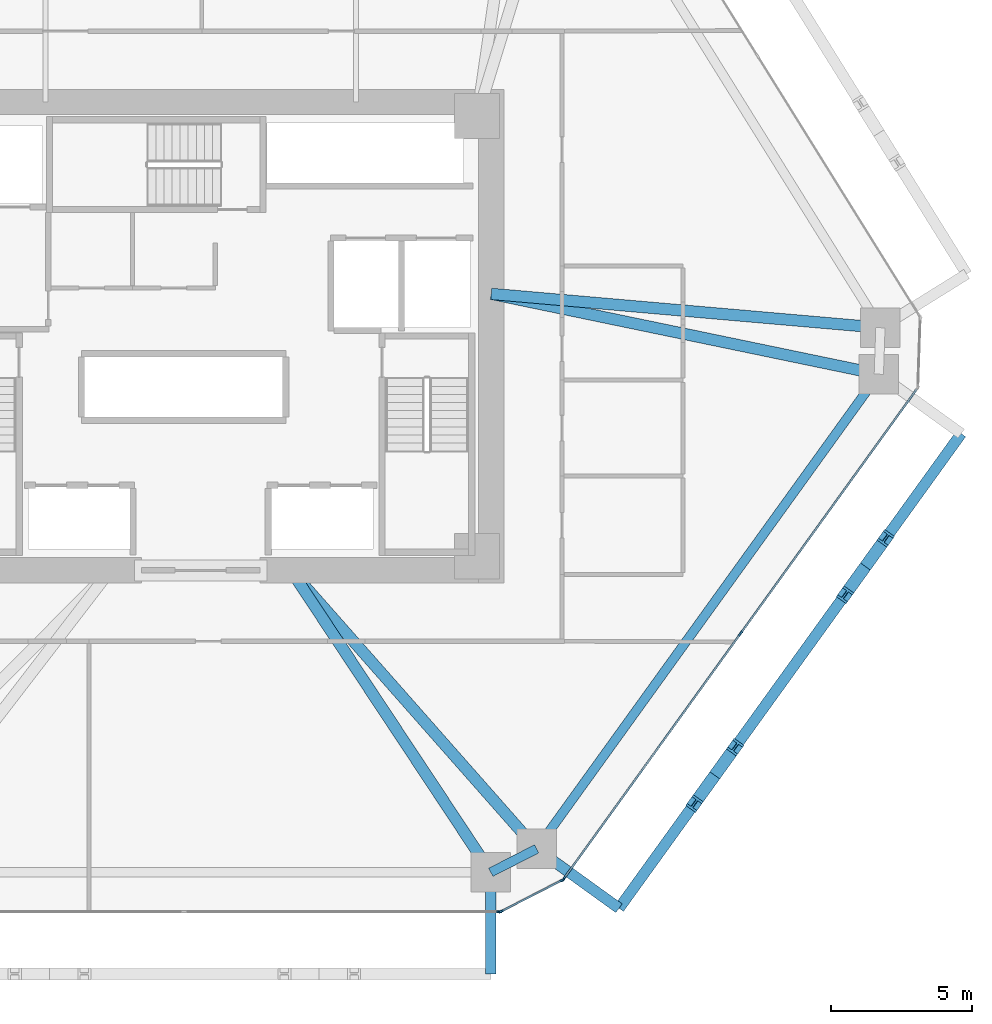
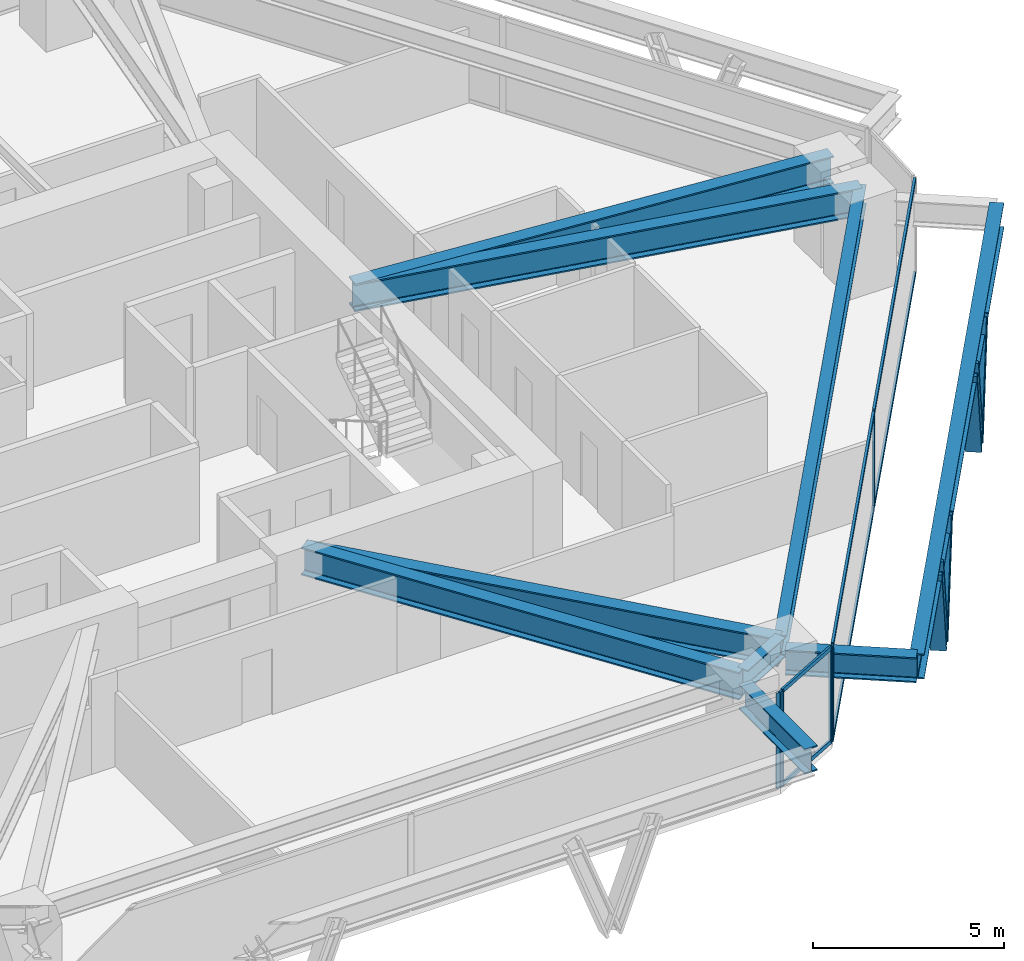
# One storey, part 5 of 14: 15 members, 9 beams, 3 elements without a shape of their own.
"""IFC4 building model written with IfcOpenShell, lengths in metres."""

from ifc_helpers import new_model, si_unit, direction, frame, origin, origin_2d, place, context, subcontext, project, spatial, rectangle, i_section, extrude, source, transform, mapped, material, layer, layer_set, material_profile, profile_set, type_object, type_shapes, element, aggregate, save


model = new_model("IFC4")

# Units and contexts
model_context = context("Model", 3, precision=1e-05, world=origin(), true_north=direction((0.0, 1.0)))
body_context = subcontext(model_context, "Body", "Model", "MODEL_VIEW")
ifc_project = project(units=[si_unit("LENGTHUNIT", "METRE"), si_unit("AREAUNIT", "SQUARE_METRE"), si_unit("VOLUMEUNIT", "CUBIC_METRE"), si_unit("PLANEANGLEUNIT", "RADIAN"), si_unit("MASSUNIT", "GRAM", prefix="KILO")], contexts=[model_context])

# Site, building, storey
site_placement = place(None, origin())
site = spatial("IfcSite", under=ifc_project, at=site_placement, CompositionType="ELEMENT")
building_placement = place(site_placement, origin())
building = spatial("IfcBuilding", under=site, at=building_placement, Name="Durnholm Broadcast Tower", CompositionType="ELEMENT")
storey_placement = place(building_placement, frame((0.0, 0.0, 35.699951171875)))
storey = spatial("IfcBuildingStorey", under=building, at=storey_placement, Name="L07", CompositionType="ELEMENT", Elevation=35.699951171875)

# Beams
ifc_material_1 = material(Name="Steel ASTM A992 Grade 50", Category="steel")
ifc_material_profile_1 = material_profile(ifc_material_1, i_section(OverallWidth=0.3291015625, OverallDepth=0.635009765625, WebThickness=0.017822265625, FlangeThickness=0.031005859375, FilletRadius=0.02783203125, at=origin_2d()), Name="W24X162")
ifc_profile_set_1 = profile_set([ifc_material_profile_1], Name="Steel ASTM A992 Grade 50")
beam_type_1 = type_object("IfcBeamType", Name="STL-SP-W24X162", PredefinedType="SPANDREL", material=ifc_profile_set_1)
shared_shape_1 = source(origin(), body_context, "Body", "SweptSolid", [
    extrude(i_section(OverallWidth=0.3291015625, OverallDepth=0.635009765625, WebThickness=0.017822265625, FlangeThickness=0.031005859375, FilletRadius=0.02783203125, at=origin_2d()), origin(), (0.0, 0.0, 1.0), 20.737060546875),
])
beam_1_placement = place(storey_placement, frame((24.034912109375, -1.347412109375, 2.7275390625), z_axis=(-0.584821933191, -0.811161701795, 0.0), x_axis=(0.811161701795, -0.584821933191, 0.0)))
element("IfcBeam", 1, at=beam_1_placement, inside=storey, type_object=beam_type_1, Name="L07 perimeter spandrel girder 09", PredefinedType="SPANDREL", context=body_context, shape_type="MappedRepresentation", body=[
    mapped(shared_shape_1, transform((0.0, 0.0, 0.0), x_axis=(1.0, 0.0, 0.0), y_axis=(0.0, 1.0, 0.0), z_axis=(0.0, 0.0, 1.0), scale=1.0)),
])
shared_shape_2 = source(origin(), body_context, "Body", "SweptSolid", [
    extrude(i_section(OverallWidth=0.3291015625, OverallDepth=0.635009765625, WebThickness=0.017822265625, FlangeThickness=0.031005859375, FilletRadius=0.02783203125, at=origin_2d()), origin(), (0.0, 0.0, 1.0), 1.8251953125),
])
type_shapes(beam_type_1, [shared_shape_1, shared_shape_2])
beam_2_placement = place(storey_placement, frame((11.907470703125, -18.16845703125, 2.7275390625), z_axis=(-0.890187609501, -0.455594139438, 0.0), x_axis=(0.455594139438, -0.890187609501, 0.0)))
element("IfcBeam", 2, at=beam_2_placement, inside=storey, type_object=beam_type_1, Name="L07 perimeter spandrel girder 10", PredefinedType="SPANDREL", context=body_context, shape_type="MappedRepresentation", body=[
    mapped(shared_shape_2, transform((0.0, 0.0, 0.0), x_axis=(1.0, 0.0, 0.0), y_axis=(0.0, 1.0, 0.0), z_axis=(0.0, 0.0, 1.0), scale=1.0)),
])
ifc_material_profile_2 = material_profile(ifc_material_1, i_section(OverallWidth=0.404052734375, OverallDepth=0.885009765625, WebThickness=0.0244140625, FlangeThickness=0.0439453125, FilletRadius=0.03564453125, at=origin_2d()), Name="W33X291")
ifc_profile_set_2 = profile_set([ifc_material_profile_2], Name="Steel ASTM A992 Grade 50")
beam_type_2 = type_object("IfcBeamType", Name="STL-GR-W33X291", PredefinedType="USERDEFINED", material=ifc_profile_set_2)
shared_shape_3 = source(origin(), body_context, "Body", "SweptSolid", [
    extrude(i_section(OverallWidth=0.404052734375, OverallDepth=0.885009765625, WebThickness=0.0244140625, FlangeThickness=0.0439453125, FilletRadius=0.03564453125, at=origin_2d()), origin(), (0.0, 0.0, 1.0), 13.843017578125),
])
beam_3_placement = place(storey_placement, frame((10.300048828125, 1.5, 2.6025390625), z_axis=(0.996234364864, -0.086701154915, 0.0), x_axis=(0.086701154915, 0.996234364864, 0.0)))
element("IfcBeam", 3, at=beam_3_placement, inside=storey, type_object=beam_type_2, Name="L07 radial primary floor girder 08", ObjectType="GIRDER", PredefinedType="USERDEFINED", context=body_context, shape_type="MappedRepresentation", body=[
    mapped(shared_shape_3, transform((0.0, 0.0, 0.0), x_axis=(1.0, 0.0, 0.0), y_axis=(0.0, 1.0, 0.0), z_axis=(0.0, 0.0, 1.0), scale=1.0)),
])
shared_shape_4 = source(origin(), body_context, "Body", "SweptSolid", [
    extrude(i_section(OverallWidth=0.404052734375, OverallDepth=0.885009765625, WebThickness=0.0244140625, FlangeThickness=0.0439453125, FilletRadius=0.03564453125, at=origin_2d()), origin(), (0.0, 0.0, 1.0), 14.02685546875),
])
beam_4_placement = place(storey_placement, frame((10.300048828125, 1.5, 2.6025390625), z_axis=(0.979179487914, -0.202996380382, 0.0), x_axis=(0.202996380382, 0.979179487914, 0.0)))
element("IfcBeam", 4, at=beam_4_placement, inside=storey, type_object=beam_type_2, Name="L07 radial primary floor girder 09", ObjectType="GIRDER", PredefinedType="USERDEFINED", context=body_context, shape_type="MappedRepresentation", body=[
    mapped(shared_shape_4, transform((0.0, 0.0, 0.0), x_axis=(1.0, 0.0, 0.0), y_axis=(0.0, 1.0, 0.0), z_axis=(0.0, 0.0, 1.0), scale=1.0)),
])
shared_shape_5 = source(origin(), body_context, "Body", "SweptSolid", [
    extrude(i_section(OverallWidth=0.404052734375, OverallDepth=0.885009765625, WebThickness=0.0244140625, FlangeThickness=0.0439453125, FilletRadius=0.03564453125, at=origin_2d()), origin(), (0.0, 0.0, 1.0), 13.160888671875),
])
beam_5_placement = place(storey_placement, frame((3.199951171875, -8.300048828125, 2.6025390625), z_axis=(0.661625931866, -0.749834065832, 0.0), x_axis=(0.749834065832, 0.661625931866, 0.0)))
element("IfcBeam", 5, at=beam_5_placement, inside=storey, type_object=beam_type_2, Name="L07 radial primary floor girder 10", ObjectType="GIRDER", PredefinedType="USERDEFINED", context=body_context, shape_type="MappedRepresentation", body=[
    mapped(shared_shape_5, transform((0.0, 0.0, 0.0), x_axis=(1.0, 0.0, 0.0), y_axis=(0.0, 1.0, 0.0), z_axis=(0.0, 0.0, 1.0), scale=1.0)),
])
shared_shape_6 = source(origin(), body_context, "Body", "SweptSolid", [
    extrude(i_section(OverallWidth=0.404052734375, OverallDepth=0.885009765625, WebThickness=0.0244140625, FlangeThickness=0.0439453125, FilletRadius=0.03564453125, at=origin_2d()), origin(), (0.0, 0.0, 1.0), 12.831787109375),
])
type_shapes(beam_type_2, [shared_shape_3, shared_shape_4, shared_shape_5, shared_shape_6])
beam_6_placement = place(storey_placement, frame((3.199951171875, -8.300048828125, 2.6025390625), z_axis=(0.551970609544, -0.833863565699, 0.0), x_axis=(0.833863565699, 0.551970609544, 0.0)))
element("IfcBeam", 6, at=beam_6_placement, inside=storey, type_object=beam_type_2, Name="L07 radial primary floor girder 11", ObjectType="GIRDER", PredefinedType="USERDEFINED", context=body_context, shape_type="MappedRepresentation", body=[
    mapped(shared_shape_6, transform((0.0, 0.0, 0.0), x_axis=(1.0, 0.0, 0.0), y_axis=(0.0, 1.0, 0.0), z_axis=(0.0, 0.0, 1.0), scale=1.0)),
])
ifc_material_profile_3 = material_profile(ifc_material_1, i_section(OverallWidth=0.385009765625, OverallDepth=0.802978515625, WebThickness=0.023681640625, FlangeThickness=0.0419921875, FilletRadius=0.032958984375, at=origin_2d()), Name="W30X261")
ifc_profile_set_3 = profile_set([ifc_material_profile_3], Name="Steel ASTM A992 Grade 50")
beam_type_3 = type_object("IfcBeamType", Name="BM-EXO-TIE", PredefinedType="USERDEFINED", material=ifc_profile_set_3)
shared_shape_7 = source(origin(), body_context, "Body", "SweptSolid", [
    extrude(i_section(OverallWidth=0.385009765625, OverallDepth=0.802978515625, WebThickness=0.023681640625, FlangeThickness=0.0419921875, FilletRadius=0.032958984375, at=origin_2d()), origin(), (0.0, 0.0, 1.0), 3.4560546875),
])
for number, where, z_axis, x_axis, name in (
    (7, (10.28271484375, -19.14404296875, 2.30859375), (0.0, -1.0, 0.0), (1.0, 0.0, 0.0), "L07 exoskeleton stand-off tie bracket F1.2"),
    (8, (12.024169921875, -18.252685546875, 2.30859375), (0.811157675106, -0.584827518262, 0.0), (0.584827518262, 0.811157675106, 0.0), "L07 exoskeleton stand-off tie bracket F2.1"),
):
    element("IfcBeam", number, at=place(storey_placement, frame(where, z_axis=z_axis, x_axis=x_axis)), inside=storey, type_object=beam_type_3, Name=name, ObjectType="GIRDER", PredefinedType="USERDEFINED", context=body_context, shape_type="MappedRepresentation", body=[
        mapped(shared_shape_7, transform((0.0, 0.0, 0.0), x_axis=(1.0, 0.0, 0.0), y_axis=(0.0, 1.0, 0.0), z_axis=(0.0, 0.0, 1.0), scale=1.0)),
    ])
shared_shape_8 = source(origin(), body_context, "Body", "SweptSolid", [
    extrude(i_section(OverallWidth=0.385009765625, OverallDepth=0.802978515625, WebThickness=0.023681640625, FlangeThickness=0.0419921875, FilletRadius=0.032958984375, at=origin_2d()), origin(), (0.0, 0.0, 1.0), 20.737060546875),
])
type_shapes(beam_type_3, [shared_shape_7, shared_shape_8])
beam_7_placement = place(storey_placement, frame((14.82763671875, -20.27392578125, 2.30859375), z_axis=(0.5848163482, 0.811165728368, 0.0), x_axis=(-0.811165728368, 0.5848163482, 0.0)))
element("IfcBeam", 9, at=beam_7_placement, inside=storey, type_object=beam_type_3, Name="L07 exoskeleton collector spandrel F2", PredefinedType="SPANDREL", context=body_context, shape_type="MappedRepresentation", body=[
    mapped(shared_shape_8, transform((0.0, 0.0, 0.0), x_axis=(1.0, 0.0, 0.0), y_axis=(0.0, 1.0, 0.0), z_axis=(0.0, 0.0, 1.0), scale=1.0)),
])

# Members
ifc_material_2 = material(Name="Steel ASTM A913 Grade 65", Category="steel")
ifc_material_profile_4 = material_profile(ifc_material_2, i_section(OverallWidth=0.43212890625, OverallDepth=0.497802734375, WebThickness=0.0556640625, FlangeThickness=0.0888671875, FilletRadius=0.030517578125, at=origin_2d()), Name="W14X500")
ifc_profile_set_4 = profile_set([ifc_material_profile_4], Name="Steel ASTM A913 Grade 65")
member_type_1 = type_object("IfcMemberType", Name="STL-DG-W14X500", PredefinedType="BRACE", material=ifc_profile_set_4)
shared_shape_9 = source(origin(), body_context, "Body", "SweptSolid", [
    extrude(i_section(OverallWidth=0.43212890625, OverallDepth=0.497802734375, WebThickness=0.0556640625, FlangeThickness=0.0888671875, FilletRadius=0.030517578125, at=origin_2d()), origin(), (0.0, 0.0, 1.0), 3.523193359375),
])
type_shapes(member_type_1, [shared_shape_9])
for number, where, z_axis, x_axis, name in (
    (10, (18.223388671875, -15.56396484375, -0.991455078125), (-0.204839138341, -0.284044529113, 0.93667477434), (0.81109123444, -0.58491966065, 0.0), "L07 stand-off diagrid brace F2.D1.1"),
    (11, (18.223388671875, -15.56396484375, -0.991455078125), (0.20477274847, 0.284048560399, 0.936688068046), (-0.811185111535, 0.584789461963, 0.0), "L07 stand-off diagrid brace F2.D1.2"),
    (12, (23.5595703125, -8.16259765625, -0.991455078125), (-0.204839138341, -0.284044529113, 0.93667477434), (0.81109123444, -0.58491966065, 0.0), "L07 stand-off diagrid brace F2.D2.1"),
    (13, (23.5595703125, -8.16259765625, -0.991455078125), (0.20477274847, 0.284048560399, 0.936688068046), (-0.811185111535, 0.584789461963, 0.0), "L07 stand-off diagrid brace F2.D2.2"),
):
    element("IfcMember", number, at=place(storey_placement, frame(where, z_axis=z_axis, x_axis=x_axis)), inside=storey, type_object=member_type_1, Name=name, PredefinedType="BRACE", context=body_context, shape_type="MappedRepresentation", body=[
        mapped(shared_shape_9, transform((0.0, 0.0, 0.0), x_axis=(1.0, 0.0, 0.0), y_axis=(0.0, 1.0, 0.0), z_axis=(0.0, 0.0, 1.0), scale=1.0)),
    ])

# Curtain wall, members
ifc_material_3 = material(Name="Aluminium and Solar Control IGU", Category="aluminium")
ifc_layer_1 = layer(ifc_material_3, 0.1650390625)
ifc_layer_set_1 = layer_set([ifc_layer_1], Name="Aluminium and Solar Control IGU")
curtain_wall_type_1 = type_object("IfcCurtainWallType", Name="CW-SYS-5", PredefinedType="NOTDEFINED", material=ifc_layer_set_1)
curtain_wall_1_placement = place(storey_placement, origin())
curtain_wall_1 = element("IfcCurtainWall", 14, at=curtain_wall_1_placement, inside=storey, type_object=curtain_wall_type_1, Name="L07 curtain wall CW-CORNER CW-L07-CRN-09", PredefinedType="NOTDEFINED")
ifc_material_4 = material(Name="Aluminium 6063-T6", Category="aluminium")
ifc_material_profile_5 = material_profile(ifc_material_4, rectangle(XDim=0.06494140625, YDim=0.1650390625, at=origin_2d()), Name="CWM65X165")
ifc_profile_set_5 = profile_set([ifc_material_profile_5], Name="Aluminium 6063-T6")
member_type_2 = type_object("IfcMemberType", Name="CW-SYS-5-MUL", PredefinedType="MULLION", material=ifc_profile_set_5)
shared_shape_10 = source(origin(), body_context, "Body", "SweptSolid", [
    extrude(rectangle(XDim=0.06494140625, YDim=0.1650390625, at=origin_2d()), origin(), (0.0, 0.0, 1.0), 3.06005859375),
])
type_shapes(member_type_2, [shared_shape_10])
member_1_placement = place(storey_placement, frame((12.816650390625, -19.27587890625, 0.0), z_axis=(0.0, 0.0, 1.0), x_axis=(0.455593758406, -0.890187804512, 0.0)))
member_1 = element("IfcMember", 15, at=member_1_placement, type_object=member_type_2, Name="CW-CORNER mullion 1", PredefinedType="MULLION", context=body_context, shape_type="MappedRepresentation", body=[
    mapped(shared_shape_10, transform((0.0, 0.0, 0.0), x_axis=(1.0, 0.0, 0.0), y_axis=(0.0, 1.0, 0.0), z_axis=(0.0, 0.0, 1.0), scale=1.0)),
])
member_2_placement = place(storey_placement, frame((10.649169921875, -20.38525390625, 0.0), z_axis=(0.0, 0.0, 1.0), x_axis=(0.455593758406, -0.890187804512, 0.0)))
member_2 = element("IfcMember", 16, at=member_2_placement, type_object=member_type_2, Name="CW-CORNER mullion 2", PredefinedType="MULLION", context=body_context, shape_type="MappedRepresentation", body=[
    mapped(shared_shape_10, transform((0.0, 0.0, 0.0), x_axis=(1.0, 0.0, 0.0), y_axis=(0.0, 1.0, 0.0), z_axis=(0.0, 0.0, 1.0), scale=1.0)),
])
ifc_material_profile_6 = material_profile(ifc_material_4, rectangle(XDim=0.06494140625, YDim=0.1298828125, at=origin_2d()), Name="CWT65X130")
ifc_profile_set_6 = profile_set([ifc_material_profile_6], Name="Aluminium 6063-T6")
member_type_3 = type_object("IfcMemberType", Name="CW-SYS-5-TRN", PredefinedType="USERDEFINED", material=ifc_profile_set_6)
shared_shape_11 = source(origin(), body_context, "Body", "SweptSolid", [
    extrude(rectangle(XDim=0.06494140625, YDim=0.1298828125, at=origin_2d()), origin(), (0.0, 0.0, 1.0), 2.3701171875),
])
type_shapes(member_type_3, [shared_shape_11])
member_3_placement = place(storey_placement, frame((12.787841796875, -19.29052734375, 0.032470703125), z_axis=(-0.890185016934, -0.455599205033, 0.0), x_axis=(0.455599205033, -0.890185016934, 0.0)))
member_3 = element("IfcMember", 17, at=member_3_placement, type_object=member_type_3, Name="CW-CORNER transom 1.1", ObjectType="TRANSOM", PredefinedType="USERDEFINED", context=body_context, shape_type="MappedRepresentation", body=[
    mapped(shared_shape_11, transform((0.0, 0.0, 0.0), x_axis=(1.0, 0.0, 0.0), y_axis=(0.0, 1.0, 0.0), z_axis=(0.0, 0.0, 1.0), scale=1.0)),
])
member_4_placement = place(storey_placement, frame((12.787841796875, -19.29052734375, 3.027587890625), z_axis=(-0.890185016934, -0.455599205033, 0.0), x_axis=(0.455599205033, -0.890185016934, 0.0)))
member_4 = element("IfcMember", 18, at=member_4_placement, type_object=member_type_3, Name="CW-CORNER transom 1.2", ObjectType="TRANSOM", PredefinedType="USERDEFINED", context=body_context, shape_type="MappedRepresentation", body=[
    mapped(shared_shape_11, transform((0.0, 0.0, 0.0), x_axis=(1.0, 0.0, 0.0), y_axis=(0.0, 1.0, 0.0), z_axis=(0.0, 0.0, 1.0), scale=1.0)),
])
aggregate(curtain_wall_1, [member_1, member_2, member_3, member_4])

ifc_layer_2 = layer(ifc_material_3, 0.18994140625)
ifc_layer_set_2 = layer_set([ifc_layer_2], Name="Aluminium and Solar Control IGU")
curtain_wall_type_2 = type_object("IfcCurtainWallType", Name="CW-SYS-3", PredefinedType="NOTDEFINED", material=ifc_layer_set_2)
curtain_wall_2_placement = place(storey_placement, origin())
curtain_wall_2 = element("IfcCurtainWall", 19, at=curtain_wall_2_placement, inside=storey, type_object=curtain_wall_type_2, Name="L07 curtain wall CW-Z12-VIS CW-L07-F08", PredefinedType="NOTDEFINED")
ifc_material_profile_7 = material_profile(ifc_material_4, rectangle(XDim=0.070068359375, YDim=0.18994140625, at=origin_2d()), Name="CWM70X190")
ifc_profile_set_7 = profile_set([ifc_material_profile_7], Name="Aluminium 6063-T6")
member_type_4 = type_object("IfcMemberType", Name="CW-SYS-3-MUL", PredefinedType="MULLION", material=ifc_profile_set_7)
shared_shape_12 = source(origin(), body_context, "Body", "SweptSolid", [
    extrude(rectangle(XDim=0.070068359375, YDim=0.18994140625, at=origin_2d()), origin(), (0.0, 0.0, 1.0), 3.06005859375),
])
type_shapes(member_type_4, [shared_shape_12])
member_5_placement = place(storey_placement, frame((19.1328125, -10.540771484375, 0.0), z_axis=(0.0, 0.0, 1.0), x_axis=(0.81116057493, -0.584823496176, 0.0)))
member_5 = element("IfcMember", 20, at=member_5_placement, type_object=member_type_4, Name="CW-Z12-VIS mullion 2", PredefinedType="MULLION", context=body_context, shape_type="MappedRepresentation", body=[
    mapped(shared_shape_12, transform((0.0, 0.0, 0.0), x_axis=(1.0, 0.0, 0.0), y_axis=(0.0, 1.0, 0.0), z_axis=(0.0, 0.0, 1.0), scale=1.0)),
])
member_6_placement = place(storey_placement, frame((12.8662109375, -19.232666015625, 0.0), z_axis=(0.0, 0.0, 1.0), x_axis=(0.81116057493, -0.584823496176, 0.0)))
member_6 = element("IfcMember", 21, at=member_6_placement, type_object=member_type_4, Name="CW-Z12-VIS mullion 3", PredefinedType="MULLION", context=body_context, shape_type="MappedRepresentation", body=[
    mapped(shared_shape_12, transform((0.0, 0.0, 0.0), x_axis=(1.0, 0.0, 0.0), y_axis=(0.0, 1.0, 0.0), z_axis=(0.0, 0.0, 1.0), scale=1.0)),
])

# Curtain wall, member
curtain_wall_3_placement = place(storey_placement, origin())
curtain_wall_3 = element("IfcCurtainWall", 22, at=curtain_wall_3_placement, inside=storey, type_object=curtain_wall_type_2, Name="L07 curtain wall CW-Z12-VIS CW-L07-F10", PredefinedType="NOTDEFINED")
member_7_placement = place(storey_placement, frame((10.585205078125, -20.39990234375, 0.0), z_axis=(0.0, 0.0, 1.0), x_axis=(0.0, -1.0, 0.0)))
member_7 = element("IfcMember", 23, at=member_7_placement, type_object=member_type_4, Name="CW-Z12-VIS mullion 1", PredefinedType="MULLION", context=body_context, shape_type="MappedRepresentation", body=[
    mapped(shared_shape_12, transform((0.0, 0.0, 0.0), x_axis=(1.0, 0.0, 0.0), y_axis=(0.0, 1.0, 0.0), z_axis=(0.0, 0.0, 1.0), scale=1.0)),
])
aggregate(curtain_wall_3, [member_7])

# Member
ifc_material_profile_8 = material_profile(ifc_material_4, rectangle(XDim=0.070068359375, YDim=0.14990234375, at=origin_2d()), Name="CWT70X150")
ifc_profile_set_8 = profile_set([ifc_material_profile_8], Name="Aluminium 6063-T6")
member_type_5 = type_object("IfcMemberType", Name="CW-SYS-3-TRN", PredefinedType="USERDEFINED", material=ifc_profile_set_8)
shared_shape_13 = source(origin(), body_context, "Body", "SweptSolid", [
    extrude(rectangle(XDim=0.070068359375, YDim=0.14990234375, at=origin_2d()), origin(), (0.0, 0.0, 1.0), 10.6455078125),
])
member_8_placement = place(storey_placement, frame((25.37890625, -1.877197265625, 0.03515625), z_axis=(-0.584812103659, -0.811168788486, 0.0), x_axis=(0.811168788486, -0.584812103659, 0.0)))
member_8 = element("IfcMember", 24, at=member_8_placement, type_object=member_type_5, Name="CW-Z12-VIS transom 1.1", ObjectType="TRANSOM", PredefinedType="USERDEFINED", context=body_context, shape_type="MappedRepresentation", body=[
    mapped(shared_shape_13, transform((0.0, 0.0, 0.0), x_axis=(1.0, 0.0, 0.0), y_axis=(0.0, 1.0, 0.0), z_axis=(0.0, 0.0, 1.0), scale=1.0)),
])

member_9_placement = place(storey_placement, frame((25.37890625, -1.877197265625, 3.025146484375), z_axis=(-0.584812103659, -0.811168788486, 0.0), x_axis=(0.811168788486, -0.584812103659, 0.0)))
member_9 = element("IfcMember", 25, at=member_9_placement, type_object=member_type_5, Name="CW-Z12-VIS transom 1.2", ObjectType="TRANSOM", PredefinedType="USERDEFINED", context=body_context, shape_type="MappedRepresentation", body=[
    mapped(shared_shape_13, transform((0.0, 0.0, 0.0), x_axis=(1.0, 0.0, 0.0), y_axis=(0.0, 1.0, 0.0), z_axis=(0.0, 0.0, 1.0), scale=1.0)),
])

shared_shape_14 = source(origin(), body_context, "Body", "SweptSolid", [
    extrude(rectangle(XDim=0.070068359375, YDim=0.14990234375, at=origin_2d()), origin(), (0.0, 0.0, 1.0), 10.645263671875),
])
type_shapes(member_type_5, [shared_shape_13, shared_shape_14])
member_10_placement = place(storey_placement, frame((19.1123046875, -10.569091796875, 0.03515625), z_axis=(-0.584822983179, -0.811160944786, 0.0), x_axis=(0.811160944786, -0.584822983179, 0.0)))
member_10 = element("IfcMember", 26, at=member_10_placement, type_object=member_type_5, Name="CW-Z12-VIS transom 2.1", ObjectType="TRANSOM", PredefinedType="USERDEFINED", context=body_context, shape_type="MappedRepresentation", body=[
    mapped(shared_shape_14, transform((0.0, 0.0, 0.0), x_axis=(1.0, 0.0, 0.0), y_axis=(0.0, 1.0, 0.0), z_axis=(0.0, 0.0, 1.0), scale=1.0)),
])

member_11_placement = place(storey_placement, frame((19.1123046875, -10.569091796875, 3.025146484375), z_axis=(-0.584822983179, -0.811160944786, 0.0), x_axis=(0.811160944786, -0.584822983179, 0.0)))
member_11 = element("IfcMember", 27, at=member_11_placement, type_object=member_type_5, Name="CW-Z12-VIS transom 2.2", ObjectType="TRANSOM", PredefinedType="USERDEFINED", context=body_context, shape_type="MappedRepresentation", body=[
    mapped(shared_shape_14, transform((0.0, 0.0, 0.0), x_axis=(1.0, 0.0, 0.0), y_axis=(0.0, 1.0, 0.0), z_axis=(0.0, 0.0, 1.0), scale=1.0)),
])

aggregate(curtain_wall_2, [member_5, member_6, member_8, member_9, member_10, member_11])

save(model, "model.ifc")
